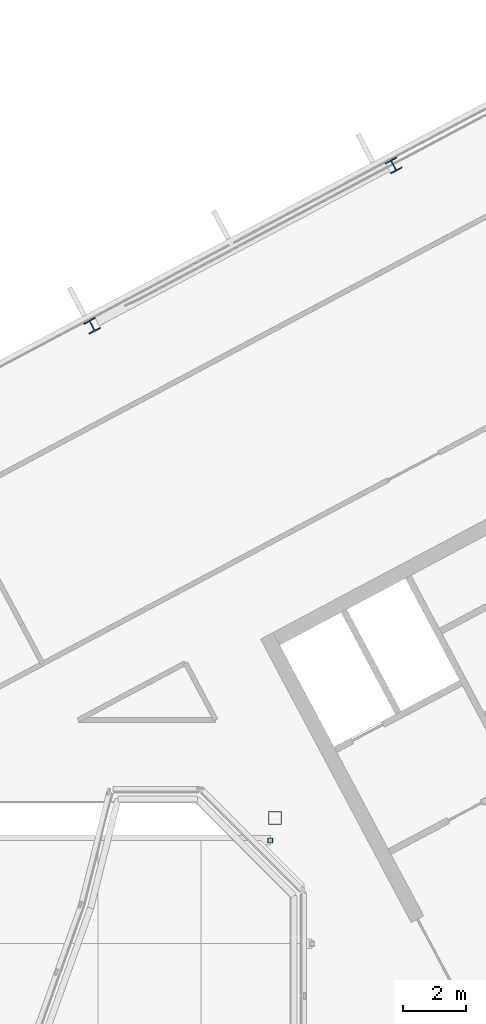
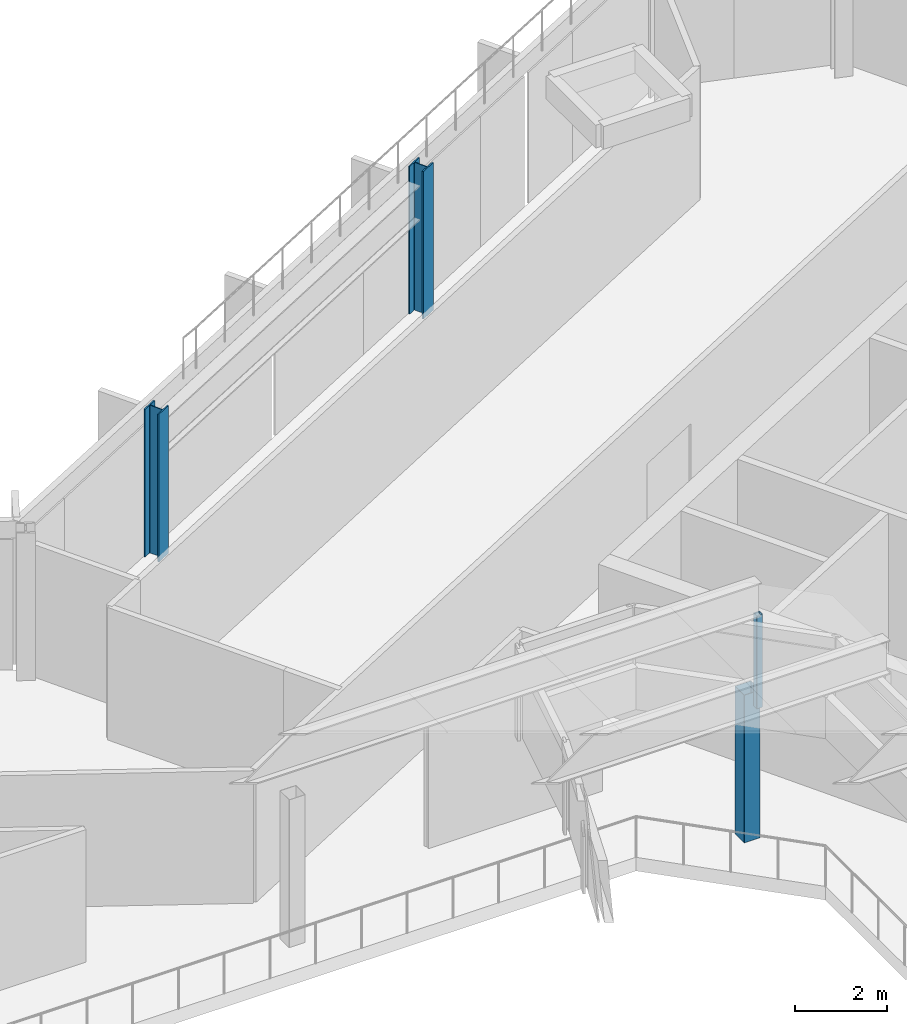
# One storey, part 9 of 35: 4 columns.
"""IFC4 building model written with IfcOpenShell, lengths in metres."""

from ifc_helpers import new_model, si_unit, direction, frame, origin, origin_2d, place, context, subcontext, project, spatial, hollow_rectangle, i_section, extrude, material, material_profile, profile_set, type_object, element, save


model = new_model("IFC4")

# Units and contexts
model_context = context("Model", 3, precision=1e-05, world=origin(), true_north=direction((0.0, 1.0)))
body_context = subcontext(model_context, "Body", "Model", "MODEL_VIEW")
ifc_project = project(units=[si_unit("LENGTHUNIT", "METRE"), si_unit("AREAUNIT", "SQUARE_METRE"), si_unit("VOLUMEUNIT", "CUBIC_METRE"), si_unit("PLANEANGLEUNIT", "RADIAN"), si_unit("MASSUNIT", "GRAM", prefix="KILO")], contexts=[model_context])

# Site, building, storey
site_placement = place(None, origin())
site = spatial("IfcSite", under=ifc_project, at=site_placement, CompositionType="ELEMENT")
building_placement = place(site_placement, origin())
building = spatial("IfcBuilding", under=site, at=building_placement, Name="Cormorant Relay Tower", CompositionType="ELEMENT")
storey_placement = place(building_placement, frame((0.0, 0.0, 324.300048828125)))
storey = spatial("IfcBuildingStorey", under=building, at=storey_placement, Name="L74", CompositionType="ELEMENT", Elevation=324.300048828125)

# Columns
ifc_material_1 = material(Name="Steel ASTM A500 Grade C (Fy 345 MPa)", Category="steel")
ifc_material_profile_1 = material_profile(ifc_material_1, hollow_rectangle(XDim=0.14990234375, YDim=0.14990234375, WallThickness=0.008056640625, InnerFilletRadius=0.00390625, OuterFilletRadius=0.011962890625, at=origin_2d()), Name="RHS150x150x8")
ifc_profile_set_1 = profile_set([ifc_material_profile_1], Name="Steel ASTM A500 Grade C (Fy 345 MPa)")
column_type_1 = type_object("IfcColumnType", Name="CW5 lantern post RHS 150 x 150", PredefinedType="COLUMN", material=ifc_profile_set_1)
column_1_placement = place(storey_placement, frame((10.351318359375, 9.78857421875, 3.89990234375), z_axis=(0.0, 0.0, 1.0), x_axis=(1.0, 0.0, 0.0)))
element("IfcColumn", 1, at=column_1_placement, inside=storey, type_object=column_type_1, Name="CW5 lantern post 14", PredefinedType="COLUMN", context=body_context, shape_type="SweptSolid", body=[
    extrude(hollow_rectangle(XDim=0.14990234375, YDim=0.14990234375, WallThickness=0.008056640625, InnerFilletRadius=0.00390625, OuterFilletRadius=0.011962890625, at=origin_2d()), origin(), (0.0, 0.0, 1.0), 2.449951171875),
])
ifc_material_2 = material(Name="Steel ASTM A500 Grade C (Fy 345 MPa)", Category="steel")
ifc_material_profile_2 = material_profile(ifc_material_2, hollow_rectangle(XDim=0.406494140625, YDim=0.406494140625, WallThickness=0.0087890625, InnerFilletRadius=0.00439453125, OuterFilletRadius=0.01318359375, at=origin_2d()), Name="HSS406x406x9")
ifc_profile_set_2 = profile_set([ifc_material_profile_2], Name="Steel ASTM A500 Grade C (Fy 345 MPa)")
column_type_2 = type_object("IfcColumnType", Name="Column HSS406x406x9", PredefinedType="COLUMN", material=ifc_profile_set_2)
column_2_placement = place(storey_placement, frame((10.5, 10.5, 0.0), z_axis=(0.0, 0.0, 1.0), x_axis=(1.0, 0.0, 0.0)))
element("IfcColumn", 2, at=column_2_placement, inside=storey, type_object=column_type_2, Name="Column L74-024", PredefinedType="COLUMN", context=body_context, shape_type="SweptSolid", body=[
    extrude(hollow_rectangle(XDim=0.406494140625, YDim=0.406494140625, WallThickness=0.0087890625, InnerFilletRadius=0.00439453125, OuterFilletRadius=0.01318359375, at=origin_2d()), origin(), (0.0, 0.0, 1.0), 3.89990234375),
])
ifc_material_3 = material(Name="Steel ASTM A992 (Fy 345 MPa)", Category="steel")
ifc_material_profile_3 = material_profile(ifc_material_3, i_section(OverallWidth=0.398681640625, OverallDepth=0.385986328125, WebThickness=0.02099609375, FlangeThickness=0.033203125, FilletRadius=0.01513671875, at=origin_2d()), Name="W360x262")
ifc_profile_set_3 = profile_set([ifc_material_profile_3], Name="Steel ASTM A992 (Fy 345 MPa)")
column_type_3 = type_object("IfcColumnType", Name="Column W360x262", PredefinedType="COLUMN", material=ifc_profile_set_3)
for number, where, z_axis, x_axis, name in (
    (3, (4.715087890625, 26.06494140625, 0.0), (0.0, 0.0, 1.0), (-0.882947592859, -0.469471562786, 0.0), "Column L74-031"),
    (4, (14.2509765625, 31.135009765625, 0.0), (0.0, 0.0, 1.0), (-0.882947592859, -0.469471562786, 0.0), "Column L74-035"),
):
    element("IfcColumn", number, at=place(storey_placement, frame(where, z_axis=z_axis, x_axis=x_axis)), inside=storey, type_object=column_type_3, Name=name, PredefinedType="COLUMN", context=body_context, shape_type="SweptSolid", body=[
        extrude(i_section(OverallWidth=0.398681640625, OverallDepth=0.385986328125, WebThickness=0.02099609375, FlangeThickness=0.033203125, FilletRadius=0.01513671875, at=origin_2d()), origin(), (0.0, 0.0, 1.0), 3.89990234375),
    ])

save(model, "model.ifc")
